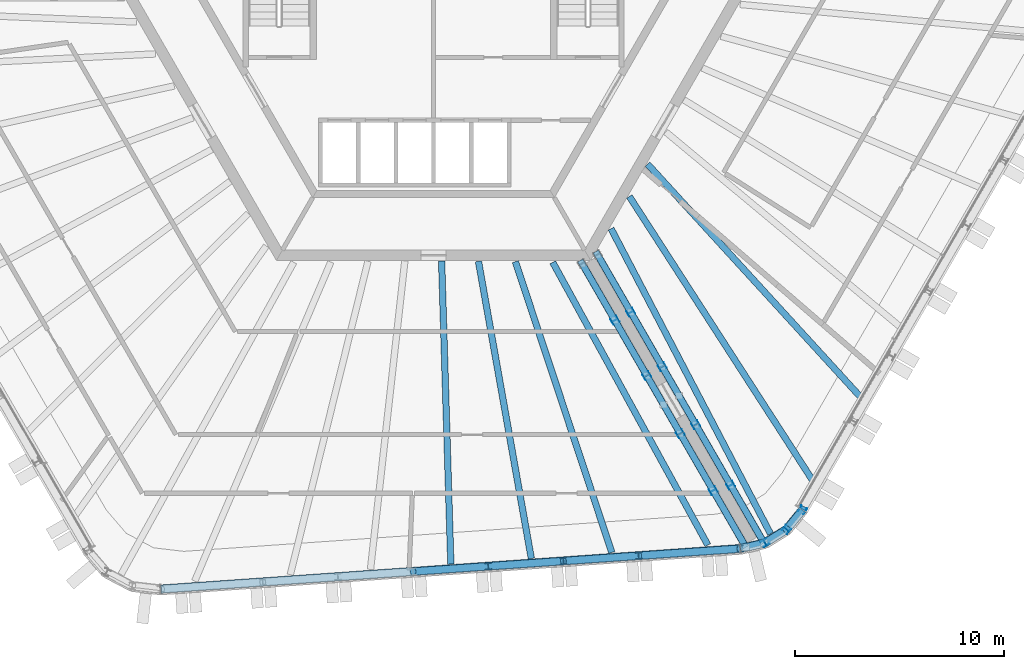
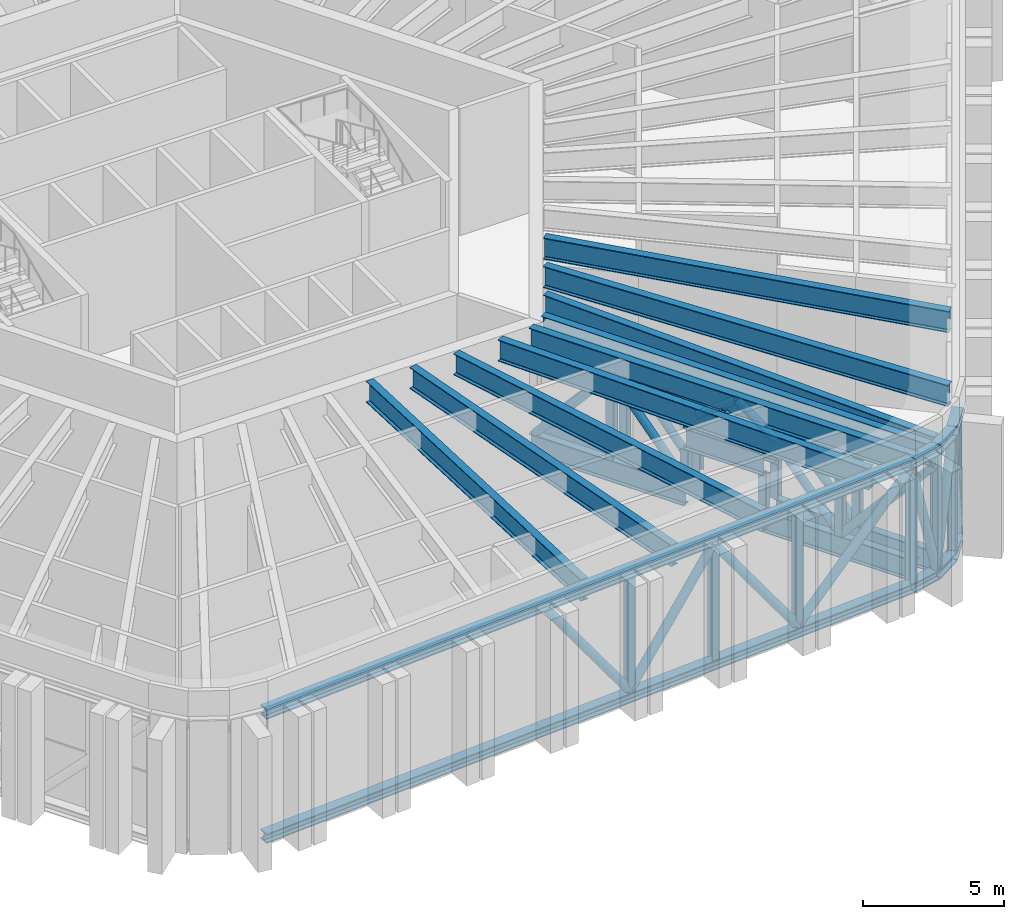
# One storey, part 4 of 24: 50 members, 7 beams.
"""IFC4 building model written with IfcOpenShell, lengths in metres."""

from ifc_helpers import new_model, si_unit, direction, frame, origin, origin_2d, place, context, subcontext, project, spatial, hollow_circle, i_section, extrude, material, material_profile, profile_set, type_object, element, save


model = new_model("IFC4")

# Units and contexts
model_context = context("Model", 3, precision=1e-05, world=origin(), true_north=direction((0.0, 1.0)))
body_context = subcontext(model_context, "Body", "Model", "MODEL_VIEW")
ifc_project = project(units=[si_unit("LENGTHUNIT", "METRE"), si_unit("AREAUNIT", "SQUARE_METRE"), si_unit("VOLUMEUNIT", "CUBIC_METRE"), si_unit("PLANEANGLEUNIT", "RADIAN"), si_unit("MASSUNIT", "GRAM", prefix="KILO")], contexts=[model_context])

# Site, building, storey
site_placement = place(None, origin())
site = spatial("IfcSite", under=ifc_project, at=site_placement, CompositionType="ELEMENT")
building_placement = place(site_placement, origin())
building = spatial("IfcBuilding", under=site, at=building_placement, Name="Tarnside Tower", CompositionType="ELEMENT")
storey_placement = place(building_placement, frame((0.0, 0.0, 250.199951171875)))
storey = spatial("IfcBuildingStorey", under=building, at=storey_placement, Name="L60", CompositionType="ELEMENT", Elevation=250.199951171875)

# Beams
ifc_material = material(Name="Steel S355", Category="steel")
ifc_material_profile_1 = material_profile(ifc_material, i_section(OverallWidth=0.3076171875, OverallDepth=0.926513671875, WebThickness=0.01953125, FlangeThickness=0.031982421875, FilletRadius=0.01904296875, at=origin_2d()), Name="UB 914x305x289")
ifc_profile_set_1 = profile_set([ifc_material_profile_1], Name="Steel S355")
beam_type = type_object("IfcBeamType", Name="Floor beam UB 914x305x289", PredefinedType="BEAM", material=ifc_profile_set_1)
beam_1_placement = place(storey_placement, frame((0.8271484375, -27.5107421875, 5.036865234375), z_axis=(-0.030363053913, 0.999538936189, 0.0), x_axis=(-0.999538936189, -0.030363053913, 0.0)))
element("IfcBeam", 1, at=beam_1_placement, inside=storey, type_object=beam_type, Name="Floor beam F4.04", PredefinedType="BEAM", context=body_context, shape_type="SweptSolid", body=[
    extrude(i_section(OverallWidth=0.3076171875, OverallDepth=0.926513671875, WebThickness=0.01953125, FlangeThickness=0.031982421875, FilletRadius=0.01904296875, at=origin_2d()), origin(), (0.0, 0.0, 1.0), 14.497314453125),
])
beam_2_placement = place(storey_placement, frame((4.673828125, -27.241943359375, 5.036865234375), z_axis=(-0.17516384842, 0.984539296426, 0.0), x_axis=(-0.984539296426, -0.17516384842, 0.0)))
element("IfcBeam", 2, at=beam_2_placement, inside=storey, type_object=beam_type, Name="Floor beam F4.05", PredefinedType="BEAM", context=body_context, shape_type="SweptSolid", body=[
    extrude(i_section(OverallWidth=0.3076171875, OverallDepth=0.926513671875, WebThickness=0.01953125, FlangeThickness=0.031982421875, FilletRadius=0.01904296875, at=origin_2d()), origin(), (0.0, 0.0, 1.0), 14.42578125),
])
beam_3_placement = place(storey_placement, frame((8.519287109375, -26.9541015625, 5.036865234375), z_axis=(-0.314646507185, 0.9492089209, 0.0), x_axis=(-0.9492089209, -0.314646507185, 0.0)))
element("IfcBeam", 3, at=beam_3_placement, inside=storey, type_object=beam_type, Name="Floor beam F4.06", PredefinedType="BEAM", context=body_context, shape_type="SweptSolid", body=[
    extrude(i_section(OverallWidth=0.3076171875, OverallDepth=0.926513671875, WebThickness=0.01953125, FlangeThickness=0.031982421875, FilletRadius=0.01904296875, at=origin_2d()), origin(), (0.0, 0.0, 1.0), 14.640869140625),
])
beam_4_placement = place(storey_placement, frame((13.106689453125, -26.599365234375, 5.036865234375), z_axis=(-0.480906472274, 0.876771900169, 0.0), x_axis=(-0.876771900169, -0.480906472274, 0.0)))
element("IfcBeam", 4, at=beam_4_placement, inside=storey, type_object=beam_type, Name="Floor beam F4.07", PredefinedType="BEAM", context=body_context, shape_type="SweptSolid", body=[
    extrude(i_section(OverallWidth=0.3076171875, OverallDepth=0.926513671875, WebThickness=0.01953125, FlangeThickness=0.031982421875, FilletRadius=0.01904296875, at=origin_2d()), origin(), (0.0, 0.0, 1.0), 15.41064453125),
])
beam_5_placement = place(storey_placement, frame((16.101806640625, -26.061279296875, 5.036865234375), z_axis=(-0.463185077787, 0.886261577479, 0.0), x_axis=(-0.886261577479, -0.463185077787, 0.0)))
element("IfcBeam", 5, at=beam_5_placement, inside=storey, type_object=beam_type, Name="Floor beam C4", PredefinedType="BEAM", context=body_context, shape_type="SweptSolid", body=[
    extrude(i_section(OverallWidth=0.3076171875, OverallDepth=0.926513671875, WebThickness=0.01953125, FlangeThickness=0.031982421875, FilletRadius=0.01904296875, at=origin_2d()), origin(), (0.0, 0.0, 1.0), 16.453125),
])
beam_6_placement = place(storey_placement, frame((18.1181640625, -23.51904296875, 5.036865234375), z_axis=(-0.542224926596, 0.840233377686, 0.0), x_axis=(-0.840233377686, -0.542224926596, 0.0)))
element("IfcBeam", 6, at=beam_6_placement, inside=storey, type_object=beam_type, Name="Floor beam F5.01", PredefinedType="BEAM", context=body_context, shape_type="SweptSolid", body=[
    extrude(i_section(OverallWidth=0.3076171875, OverallDepth=0.926513671875, WebThickness=0.01953125, FlangeThickness=0.031982421875, FilletRadius=0.01904296875, at=origin_2d()), origin(), (0.0, 0.0, 1.0), 16.161865234375),
])
beam_7_placement = place(storey_placement, frame((20.42578125, -19.5498046875, 5.036865234375), z_axis=(-0.674798616481, 0.738001915441, 0.0), x_axis=(-0.738001915441, -0.674798616481, 0.0)))
element("IfcBeam", 7, at=beam_7_placement, inside=storey, type_object=beam_type, Name="Floor beam F5.02", PredefinedType="BEAM", context=body_context, shape_type="SweptSolid", body=[
    extrude(i_section(OverallWidth=0.3076171875, OverallDepth=0.926513671875, WebThickness=0.01953125, FlangeThickness=0.031982421875, FilletRadius=0.01904296875, at=origin_2d()), origin(), (0.0, 0.0, 1.0), 15.111328125),
])

# Members
ifc_material_profile_2 = material_profile(ifc_material, i_section(OverallWidth=0.3076171875, OverallDepth=0.926513671875, WebThickness=0.01953125, FlangeThickness=0.031982421875, FilletRadius=0.01904296875, at=origin_2d()), Name="UB 914x305x289")
ifc_profile_set_2 = profile_set([ifc_material_profile_2], Name="Steel S355")
member_type_1 = type_object("IfcMemberType", Name="Outrigger chord UB 914x305x289", PredefinedType="CHORD", material=ifc_profile_set_2)
member_1_placement = place(storey_placement, frame((7.751220703125, -12.574462890625, 5.036865234375), z_axis=(0.500005898527, -0.866021998241, 0.0), x_axis=(0.866021998241, 0.500005898527, 0.0)))
element("IfcMember", 8, at=member_1_placement, inside=storey, type_object=member_type_1, Name="Outrigger truss top chord OR3A L60", PredefinedType="CHORD", context=body_context, shape_type="SweptSolid", body=[
    extrude(i_section(OverallWidth=0.3076171875, OverallDepth=0.926513671875, WebThickness=0.01953125, FlangeThickness=0.031982421875, FilletRadius=0.01904296875, at=origin_2d()), origin(), (0.0, 0.0, 1.0), 16.079833984375),
])
member_2_placement = place(storey_placement, frame((7.751220703125, -12.574462890625, 0.46337890625), z_axis=(0.500017186074, -0.866015481172, 0.0), x_axis=(0.866015481172, 0.500017186074, 0.0)))
element("IfcMember", 9, at=member_2_placement, inside=storey, type_object=member_type_1, Name="Outrigger truss bottom chord OR3A L60", PredefinedType="CHORD", context=body_context, shape_type="SweptSolid", body=[
    extrude(i_section(OverallWidth=0.3076171875, OverallDepth=0.926513671875, WebThickness=0.01953125, FlangeThickness=0.031982421875, FilletRadius=0.01904296875, at=origin_2d()), origin(), (0.0, 0.0, 1.0), 6.357666015625),
])
member_3_placement = place(storey_placement, frame((12.530029296875, -20.851318359375, 0.46337890625), z_axis=(0.499995699848, -0.866027886464, 0.0), x_axis=(0.866027886464, 0.499995699848, 0.0)))
element("IfcMember", 10, at=member_3_placement, inside=storey, type_object=member_type_1, Name="Outrigger truss bottom chord OR3A L60", PredefinedType="CHORD", context=body_context, shape_type="SweptSolid", body=[
    extrude(i_section(OverallWidth=0.3076171875, OverallDepth=0.926513671875, WebThickness=0.01953125, FlangeThickness=0.031982421875, FilletRadius=0.01904296875, at=origin_2d()), origin(), (0.0, 0.0, 1.0), 6.5224609375),
])
member_4_placement = place(storey_placement, frame((10.93017578125, -18.080322265625, 2.913330078125), z_axis=(0.50000426018, -0.866022944154, 0.0), x_axis=(0.866022944154, 0.50000426018, 0.0)))
element("IfcMember", 11, at=member_4_placement, inside=storey, type_object=member_type_1, Name="Outrigger truss lintel OR3A L60", PredefinedType="CHORD", context=body_context, shape_type="SweptSolid", body=[
    extrude(i_section(OverallWidth=0.3076171875, OverallDepth=0.926513671875, WebThickness=0.01953125, FlangeThickness=0.031982421875, FilletRadius=0.01904296875, at=origin_2d()), origin(), (0.0, 0.0, 1.0), 3.19970703125),
])
member_5_placement = place(storey_placement, frame((7.01416015625, -13.0, 5.036865234375), z_axis=(0.499998441327, -0.866026303683, 0.0), x_axis=(0.866026303683, 0.499998441327, 0.0)))
element("IfcMember", 12, at=member_5_placement, inside=storey, type_object=member_type_1, Name="Outrigger truss top chord OR3B L60", PredefinedType="CHORD", context=body_context, shape_type="SweptSolid", body=[
    extrude(i_section(OverallWidth=0.3076171875, OverallDepth=0.926513671875, WebThickness=0.01953125, FlangeThickness=0.031982421875, FilletRadius=0.01904296875, at=origin_2d()), origin(), (0.0, 0.0, 1.0), 15.8251953125),
])
member_6_placement = place(storey_placement, frame((7.01416015625, -13.0, 0.46337890625), z_axis=(0.499988385283, -0.86603210944, 0.0), x_axis=(0.86603210944, 0.499988385283, 0.0)))
element("IfcMember", 13, at=member_6_placement, inside=storey, type_object=member_type_1, Name="Outrigger truss bottom chord OR3B L60", PredefinedType="CHORD", context=body_context, shape_type="SweptSolid", body=[
    extrude(i_section(OverallWidth=0.3076171875, OverallDepth=0.926513671875, WebThickness=0.01953125, FlangeThickness=0.031982421875, FilletRadius=0.01904296875, at=origin_2d()), origin(), (0.0, 0.0, 1.0), 6.357666015625),
])
member_7_placement = place(storey_placement, frame((11.792724609375, -21.277099609375, 0.46337890625), z_axis=(0.500022537219, -0.866012391524, 0.0), x_axis=(0.866012391524, 0.500022537219, 0.0)))
element("IfcMember", 14, at=member_7_placement, inside=storey, type_object=member_type_1, Name="Outrigger truss bottom chord OR3B L60", PredefinedType="CHORD", context=body_context, shape_type="SweptSolid", body=[
    extrude(i_section(OverallWidth=0.3076171875, OverallDepth=0.926513671875, WebThickness=0.01953125, FlangeThickness=0.031982421875, FilletRadius=0.01904296875, at=origin_2d()), origin(), (0.0, 0.0, 1.0), 6.267822265625),
])
member_8_placement = place(storey_placement, frame((10.19287109375, -18.505859375, 2.913330078125), z_axis=(0.499971222258, -0.866042017984, 0.0), x_axis=(0.866042017984, 0.499971222258, 0.0)))
element("IfcMember", 15, at=member_8_placement, inside=storey, type_object=member_type_1, Name="Outrigger truss lintel OR3B L60", PredefinedType="CHORD", context=body_context, shape_type="SweptSolid", body=[
    extrude(i_section(OverallWidth=0.3076171875, OverallDepth=0.926513671875, WebThickness=0.01953125, FlangeThickness=0.031982421875, FilletRadius=0.01904296875, at=origin_2d()), origin(), (0.0, 0.0, 1.0), 3.199951171875),
])
ifc_material_profile_3 = material_profile(ifc_material, hollow_circle(Radius=0.161865234375, WallThickness=0.012451171875, at=origin_2d()), Name="CHS 323.9x12.5")
ifc_profile_set_3 = profile_set([ifc_material_profile_3], Name="Steel S355")
member_type_2 = type_object("IfcMemberType", Name="Outrigger diagonal CHS 323.9x12.5", PredefinedType="BRACE", material=ifc_profile_set_3)
member_9_placement = place(storey_placement, frame((7.839111328125, -12.7265625, 0.9267578125), z_axis=(0.328649616316, -0.569259075974, 0.753613650432), x_axis=(0.866033482957, 0.499986006202, 0.0)))
element("IfcMember", 16, at=member_9_placement, inside=storey, type_object=member_type_2, Name="Outrigger truss diagonal OR3A 1", PredefinedType="BRACE", context=body_context, shape_type="SweptSolid", body=[
    extrude(hollow_circle(Radius=0.161865234375, WallThickness=0.012451171875, at=origin_2d()), origin(), (0.0, 0.0, 1.0), 4.839111328125),
])
member_10_placement = place(storey_placement, frame((9.429443359375, -15.481201171875, 4.573486328125), z_axis=(0.317753185517, -0.550317295106, -0.772129385402), x_axis=(0.86600676862, 0.500032275663, 0.0)))
element("IfcMember", 17, at=member_10_placement, inside=storey, type_object=member_type_2, Name="Outrigger truss diagonal OR3A 2", PredefinedType="BRACE", context=body_context, shape_type="SweptSolid", body=[
    extrude(hollow_circle(Radius=0.161865234375, WallThickness=0.012451171875, at=origin_2d()), origin(), (0.0, 0.0, 1.0), 4.722900390625),
])
member_11_placement = place(storey_placement, frame((10.93017578125, -18.080322265625, 3.376708984375), z_axis=(0.400324488996, -0.693480303739, 0.599020343424), x_axis=(0.866055983265, 0.499947031044, 0.0)))
element("IfcMember", 18, at=member_11_placement, inside=storey, type_object=member_type_2, Name="Outrigger truss diagonal OR3A 3", PredefinedType="BRACE", context=body_context, shape_type="SweptSolid", body=[
    extrude(hollow_circle(Radius=0.161865234375, WallThickness=0.012451171875, at=origin_2d()), origin(), (0.0, 0.0, 1.0), 1.997802734375),
])
member_12_placement = place(storey_placement, frame((12.530029296875, -20.851318359375, 3.376708984375), z_axis=(-0.400427097036, 0.693446376466, 0.598991037434), x_axis=(-0.865989903783, -0.500061482766, 0.0)))
element("IfcMember", 19, at=member_12_placement, inside=storey, type_object=member_type_2, Name="Outrigger truss diagonal OR3A 4", PredefinedType="BRACE", context=body_context, shape_type="SweptSolid", body=[
    extrude(hollow_circle(Radius=0.161865234375, WallThickness=0.012451171875, at=origin_2d()), origin(), (0.0, 0.0, 1.0), 1.998046875),
])
member_13_placement = place(storey_placement, frame((12.530029296875, -20.851318359375, 4.573486328125), z_axis=(0.337763108267, -0.585100670085, -0.737274228873), x_axis=(0.866054193935, 0.499950130681, 0.0)))
element("IfcMember", 20, at=member_13_placement, inside=storey, type_object=member_type_2, Name="Outrigger truss diagonal OR3A 5", PredefinedType="BRACE", context=body_context, shape_type="SweptSolid", body=[
    extrude(hollow_circle(Radius=0.161865234375, WallThickness=0.012451171875, at=origin_2d()), origin(), (0.0, 0.0, 1.0), 4.9462890625),
])
member_14_placement = place(storey_placement, frame((14.20068359375, -23.745361328125, 0.9267578125), z_axis=(0.328694618571, -0.56924963643, 0.753601153891), x_axis=(0.866000246787, 0.500043570666, 0.0)))
element("IfcMember", 21, at=member_14_placement, inside=storey, type_object=member_type_2, Name="Outrigger truss diagonal OR3A 6", PredefinedType="BRACE", context=body_context, shape_type="SweptSolid", body=[
    extrude(hollow_circle(Radius=0.161865234375, WallThickness=0.012451171875, at=origin_2d()), origin(), (0.0, 0.0, 1.0), 4.839111328125),
])
member_15_placement = place(storey_placement, frame((7.101806640625, -13.152099609375, 0.9267578125), z_axis=(0.325682698123, -0.564039151031, 0.758808682243), x_axis=(0.866002438025, 0.500039775752, 0.0)))
element("IfcMember", 22, at=member_15_placement, inside=storey, type_object=member_type_2, Name="Outrigger truss diagonal OR3B 1", PredefinedType="BRACE", context=body_context, shape_type="SweptSolid", body=[
    extrude(hollow_circle(Radius=0.161865234375, WallThickness=0.012451171875, at=origin_2d()), origin(), (0.0, 0.0, 1.0), 4.805908203125),
])
member_16_placement = place(storey_placement, frame((8.6669921875, -15.86279296875, 4.573486328125), z_axis=(0.320880643248, -0.555816615009, -0.766879066912), x_axis=(0.86603905187, 0.499976360077, 0.0)))
element("IfcMember", 23, at=member_16_placement, inside=storey, type_object=member_type_2, Name="Outrigger truss diagonal OR3B 2", PredefinedType="BRACE", context=body_context, shape_type="SweptSolid", body=[
    extrude(hollow_circle(Radius=0.161865234375, WallThickness=0.012451171875, at=origin_2d()), origin(), (0.0, 0.0, 1.0), 4.75537109375),
])
for number, where, z_axis, x_axis, name in (
    (24, (10.19287109375, -18.505859375, 3.376708984375), (0.400427097036, -0.693446376466, 0.598991037434), (0.865989903783, 0.500061482766, 0.0), "Outrigger truss diagonal OR3B 3"),
    (25, (11.792724609375, -21.277099609375, 3.376708984375), (-0.400290565733, 0.693543727443, 0.598969582792), (-0.866094119867, -0.499880961361, 0.0), "Outrigger truss diagonal OR3B 4"),
):
    element("IfcMember", number, at=place(storey_placement, frame(where, z_axis=z_axis, x_axis=x_axis)), inside=storey, type_object=member_type_2, Name=name, PredefinedType="BRACE", context=body_context, shape_type="SweptSolid", body=[
        extrude(hollow_circle(Radius=0.161865234375, WallThickness=0.012451171875, at=origin_2d()), origin(), (0.0, 0.0, 1.0), 1.998046875),
    ])
member_17_placement = place(storey_placement, frame((11.792724609375, -21.277099609375, 4.573486328125), z_axis=(0.326156600302, -0.564823862044, -0.758021026717), x_axis=(0.865988627265, 0.50006369339, 0.0)))
element("IfcMember", 26, at=member_17_placement, inside=storey, type_object=member_type_2, Name="Outrigger truss diagonal OR3B 5", PredefinedType="BRACE", context=body_context, shape_type="SweptSolid", body=[
    extrude(hollow_circle(Radius=0.161865234375, WallThickness=0.012451171875, at=origin_2d()), origin(), (0.0, 0.0, 1.0), 4.810791015625),
])
member_18_placement = place(storey_placement, frame((13.36181640625, -23.994384765625, 0.9267578125), z_axis=(0.325637284769, -0.564048482494, 0.758821235974), x_axis=(0.866036212918, 0.499981277565, 0.0)))
element("IfcMember", 27, at=member_18_placement, inside=storey, type_object=member_type_2, Name="Outrigger truss diagonal OR3B 6", PredefinedType="BRACE", context=body_context, shape_type="SweptSolid", body=[
    extrude(hollow_circle(Radius=0.161865234375, WallThickness=0.012451171875, at=origin_2d()), origin(), (0.0, 0.0, 1.0), 4.8056640625),
])
ifc_material_profile_4 = material_profile(ifc_material, i_section(OverallWidth=0.311279296875, OverallDepth=0.3271484375, WebThickness=0.015869140625, FlangeThickness=0.02490234375, FilletRadius=0.01513671875, at=origin_2d()), Name="UC 305x305x158")
ifc_profile_set_4 = profile_set([ifc_material_profile_4], Name="Steel S355")
member_type_3 = type_object("IfcMemberType", Name="Outrigger post UC 305x305x158", PredefinedType="POST", material=ifc_profile_set_4)
member_19_placement = place(storey_placement, frame((9.429443359375, -15.481201171875, 0.9267578125), z_axis=(0.0, 0.0, 1.0), x_axis=(0.5, -0.866025403784, 0.0)))
element("IfcMember", 28, at=member_19_placement, inside=storey, type_object=member_type_3, Name="Outrigger truss post OR3A 2", PredefinedType="POST", context=body_context, shape_type="SweptSolid", body=[
    extrude(i_section(OverallWidth=0.311279296875, OverallDepth=0.3271484375, WebThickness=0.015869140625, FlangeThickness=0.02490234375, FilletRadius=0.01513671875, at=origin_2d()), origin(), (0.0, 0.0, 1.0), 3.646728515625),
])
for number, where, z_axis, x_axis, name in (
    (29, (10.93017578125, -18.080322265625, 0.9267578125), (0.0, 0.0, 1.0), (0.5, -0.866025403784, 0.0), "Outrigger truss post OR3A 3"),
    (30, (12.530029296875, -20.851318359375, 0.9267578125), (0.0, 0.0, 1.0), (0.5, -0.866025403784, 0.0), "Outrigger truss post OR3A 4"),
):
    element("IfcMember", number, at=place(storey_placement, frame(where, z_axis=z_axis, x_axis=x_axis)), inside=storey, type_object=member_type_3, Name=name, PredefinedType="POST", context=body_context, shape_type="SweptSolid", body=[
        extrude(i_section(OverallWidth=0.311279296875, OverallDepth=0.3271484375, WebThickness=0.015869140625, FlangeThickness=0.02490234375, FilletRadius=0.01513671875, at=origin_2d()), origin(), (0.0, 0.0, 1.0), 1.523193359375),
    ])
for number, where, z_axis, x_axis, name in (
    (31, (14.20068359375, -23.745361328125, 0.9267578125), (0.0, 0.0, 1.0), (0.5, -0.866025403784, 0.0), "Outrigger truss post OR3A 5"),
    (32, (8.6669921875, -15.86279296875, 0.9267578125), (0.0, 0.0, 1.0), (0.5, -0.866025403784, 0.0), "Outrigger truss post OR3B 2"),
):
    element("IfcMember", number, at=place(storey_placement, frame(where, z_axis=z_axis, x_axis=x_axis)), inside=storey, type_object=member_type_3, Name=name, PredefinedType="POST", context=body_context, shape_type="SweptSolid", body=[
        extrude(i_section(OverallWidth=0.311279296875, OverallDepth=0.3271484375, WebThickness=0.015869140625, FlangeThickness=0.02490234375, FilletRadius=0.01513671875, at=origin_2d()), origin(), (0.0, 0.0, 1.0), 3.646728515625),
    ])
for number, where, z_axis, x_axis, name in (
    (33, (10.19287109375, -18.505859375, 0.9267578125), (0.0, 0.0, 1.0), (0.5, -0.866025403784, 0.0), "Outrigger truss post OR3B 3"),
    (34, (11.792724609375, -21.277099609375, 0.9267578125), (0.0, 0.0, 1.0), (0.5, -0.866025403784, 0.0), "Outrigger truss post OR3B 4"),
):
    element("IfcMember", number, at=place(storey_placement, frame(where, z_axis=z_axis, x_axis=x_axis)), inside=storey, type_object=member_type_3, Name=name, PredefinedType="POST", context=body_context, shape_type="SweptSolid", body=[
        extrude(i_section(OverallWidth=0.311279296875, OverallDepth=0.3271484375, WebThickness=0.015869140625, FlangeThickness=0.02490234375, FilletRadius=0.01513671875, at=origin_2d()), origin(), (0.0, 0.0, 1.0), 1.523193359375),
    ])
member_20_placement = place(storey_placement, frame((13.36181640625, -23.994384765625, 0.9267578125), z_axis=(0.0, 0.0, 1.0), x_axis=(0.5, -0.866025403784, 0.0)))
element("IfcMember", 35, at=member_20_placement, inside=storey, type_object=member_type_3, Name="Outrigger truss post OR3B 5", PredefinedType="POST", context=body_context, shape_type="SweptSolid", body=[
    extrude(i_section(OverallWidth=0.311279296875, OverallDepth=0.3271484375, WebThickness=0.015869140625, FlangeThickness=0.02490234375, FilletRadius=0.01513671875, at=origin_2d()), origin(), (0.0, 0.0, 1.0), 3.646728515625),
])
ifc_material_profile_5 = material_profile(ifc_material, i_section(OverallWidth=0.403076171875, OverallDepth=0.406494140625, WebThickness=0.026611328125, FlangeThickness=0.04296875, FilletRadius=0.01513671875, at=origin_2d()), Name="UC 356x406x340")
ifc_profile_set_5 = profile_set([ifc_material_profile_5], Name="Steel S355")
member_type_4 = type_object("IfcMemberType", Name="Truss chord UC 356x406x340", PredefinedType="CHORD", material=ifc_profile_set_5)
member_21_placement = place(storey_placement, frame((-13.0263671875, -28.70361328125, -0.0966796875), z_axis=(0.99756406806, 0.069756219185, 0.0), x_axis=(-0.069756219185, 0.99756406806, 0.0)))
element("IfcMember", 36, at=member_21_placement, inside=storey, type_object=member_type_4, Name="Belt truss bottom chord L60 run", PredefinedType="CHORD", context=body_context, shape_type="SweptSolid", body=[
    extrude(i_section(OverallWidth=0.403076171875, OverallDepth=0.406494140625, WebThickness=0.026611328125, FlangeThickness=0.04296875, FilletRadius=0.01513671875, at=origin_2d()), origin(), (0.0, 0.0, 1.0), 27.7578125),
])
for number, where, z_axis, x_axis, name in (
    (37, (14.663818359375, -26.767333984375, -0.0966796875), (0.973063591128, 0.230536868247, 0.0), (-0.230536868247, 0.973063591128, 0.0), "Belt truss bottom chord L60 corner4.1"),
    (38, (15.839599609375, -26.48876953125, -0.0966796875), (0.848009655012, 0.52998077796, 0.0), (-0.52998077796, 0.848009655012, 0.0), "Belt truss bottom chord L60 corner4.2"),
    (39, (16.8642578125, -25.848388671875, -0.0966796875), (0.633721857241, 0.773560991555, 0.0), (-0.773560991555, 0.633721857241, 0.0), "Belt truss bottom chord L60 corner4.3"),
):
    element("IfcMember", number, at=place(storey_placement, frame(where, z_axis=z_axis, x_axis=x_axis)), inside=storey, type_object=member_type_4, Name=name, PredefinedType="CHORD", context=body_context, shape_type="SweptSolid", body=[
        extrude(i_section(OverallWidth=0.403076171875, OverallDepth=0.406494140625, WebThickness=0.026611328125, FlangeThickness=0.04296875, FilletRadius=0.01513671875, at=origin_2d()), origin(), (0.0, 0.0, 1.0), 1.208251953125),
    ])
ifc_material_profile_6 = material_profile(ifc_material, i_section(OverallWidth=0.406982421875, OverallDepth=0.4189453125, WebThickness=0.030517578125, FlangeThickness=0.04931640625, FilletRadius=0.01513671875, at=origin_2d()), Name="UC 356x406x393")
ifc_profile_set_6 = profile_set([ifc_material_profile_6], Name="Steel S355")
member_type_5 = type_object("IfcMemberType", Name="Truss chord UC 356x406x393", PredefinedType="CHORD", material=ifc_profile_set_6)
member_22_placement = place(storey_placement, frame((-13.0263671875, -28.70361328125, 5.29052734375), z_axis=(0.99756406806, 0.069756219185, 0.0), x_axis=(-0.069756219185, 0.99756406806, 0.0)))
element("IfcMember", 40, at=member_22_placement, inside=storey, type_object=member_type_5, Name="Belt truss top chord L60 run", PredefinedType="CHORD", context=body_context, shape_type="SweptSolid", body=[
    extrude(i_section(OverallWidth=0.406982421875, OverallDepth=0.4189453125, WebThickness=0.030517578125, FlangeThickness=0.04931640625, FilletRadius=0.01513671875, at=origin_2d()), origin(), (0.0, 0.0, 1.0), 27.7578125),
])
for number, where, z_axis, x_axis, name in (
    (41, (14.663818359375, -26.767333984375, 5.29052734375), (0.973063591128, 0.230536868247, 0.0), (-0.230536868247, 0.973063591128, 0.0), "Belt truss top chord L60 corner4.1"),
    (42, (15.839599609375, -26.48876953125, 5.29052734375), (0.848009655012, 0.52998077796, 0.0), (-0.52998077796, 0.848009655012, 0.0), "Belt truss top chord L60 corner4.2"),
    (43, (16.8642578125, -25.848388671875, 5.29052734375), (0.633721857241, 0.773560991555, 0.0), (-0.773560991555, 0.633721857241, 0.0), "Belt truss top chord L60 corner4.3"),
):
    element("IfcMember", number, at=place(storey_placement, frame(where, z_axis=z_axis, x_axis=x_axis)), inside=storey, type_object=member_type_5, Name=name, PredefinedType="CHORD", context=body_context, shape_type="SweptSolid", body=[
        extrude(i_section(OverallWidth=0.406982421875, OverallDepth=0.4189453125, WebThickness=0.030517578125, FlangeThickness=0.04931640625, FilletRadius=0.01513671875, at=origin_2d()), origin(), (0.0, 0.0, 1.0), 1.208251953125),
    ])
ifc_material_profile_7 = material_profile(ifc_material, hollow_circle(Radius=0.177734375, WallThickness=0.01611328125, at=origin_2d()), Name="CHS 355.6x16")
ifc_profile_set_7 = profile_set([ifc_material_profile_7], Name="Steel S355")
member_type_6 = type_object("IfcMemberType", Name="Truss diagonal CHS 355.6x16", PredefinedType="BRACE", material=ifc_profile_set_7)
member_23_placement = place(storey_placement, frame((-0.976806640625, -27.861083984375, 5.0810546875), z_axis=(0.58484358689, 0.04091122032, -0.810113727156), x_axis=(-0.069781888421, 0.997562272767, 0.0)))
element("IfcMember", 44, at=member_23_placement, inside=storey, type_object=member_type_6, Name="Belt truss diagonal L60 34", PredefinedType="BRACE", context=body_context, shape_type="SweptSolid", body=[
    extrude(hollow_circle(Radius=0.177734375, WallThickness=0.01611328125, at=origin_2d()), origin(), (0.0, 0.0, 1.0), 6.140625),
])
member_24_placement = place(storey_placement, frame((2.614501953125, -27.60986328125, 0.1064453125), z_axis=(0.584818377555, 0.040872478899, 0.810133881369), x_axis=(-0.069719119461, 0.997566661623, 0.0)))
element("IfcMember", 45, at=member_24_placement, inside=storey, type_object=member_type_6, Name="Belt truss diagonal L60 35", PredefinedType="BRACE", context=body_context, shape_type="SweptSolid", body=[
    extrude(hollow_circle(Radius=0.177734375, WallThickness=0.01611328125, at=origin_2d()), origin(), (0.0, 0.0, 1.0), 6.140380859375),
])
member_25_placement = place(storey_placement, frame((6.20556640625, -27.35888671875, 5.0810546875), z_axis=(0.58484358689, 0.04091122032, -0.810113727156), x_axis=(-0.069781888421, 0.997562272767, 0.0)))
element("IfcMember", 46, at=member_25_placement, inside=storey, type_object=member_type_6, Name="Belt truss diagonal L60 36", PredefinedType="BRACE", context=body_context, shape_type="SweptSolid", body=[
    extrude(hollow_circle(Radius=0.177734375, WallThickness=0.01611328125, at=origin_2d()), origin(), (0.0, 0.0, 1.0), 6.140625),
])
member_26_placement = place(storey_placement, frame((9.796875, -27.107666015625, 0.1064453125), z_axis=(0.698494527371, 0.048843810943, 0.713946550776), x_axis=(-0.069756922115, 0.997564018907, 0.0)))
element("IfcMember", 47, at=member_26_placement, inside=storey, type_object=member_type_6, Name="Belt truss diagonal L60 37", PredefinedType="BRACE", context=body_context, shape_type="SweptSolid", body=[
    extrude(hollow_circle(Radius=0.177734375, WallThickness=0.01611328125, at=origin_2d()), origin(), (0.0, 0.0, 1.0), 6.9677734375),
])
for number, where, z_axis, x_axis, name in (
    (48, (14.663818359375, -26.767333984375, 5.0810546875), (0.229678079759, 0.054415010175, -0.971744300907), (-0.230536868247, 0.973063591128, 0.0), "Belt truss diagonal L60 38"),
    (49, (15.839599609375, -26.48876953125, 0.1064453125), (0.200157760927, 0.125092639245, 0.971745183856), (-0.52998077796, 0.848009655012, 0.0), "Belt truss diagonal L60 39"),
    (50, (16.8642578125, -25.848388671875, 5.0810546875), (0.149559121674, 0.182561325818, -0.971752762507), (-0.773560991555, 0.633721857241, 0.0), "Belt truss diagonal L60 40"),
):
    element("IfcMember", number, at=place(storey_placement, frame(where, z_axis=z_axis, x_axis=x_axis)), inside=storey, type_object=member_type_6, Name=name, PredefinedType="BRACE", context=body_context, shape_type="SweptSolid", body=[
        extrude(hollow_circle(Radius=0.177734375, WallThickness=0.01611328125, at=origin_2d()), origin(), (0.0, 0.0, 1.0), 5.119140625),
    ])
ifc_material_profile_8 = material_profile(ifc_material, i_section(OverallWidth=0.311279296875, OverallDepth=0.3271484375, WebThickness=0.015869140625, FlangeThickness=0.02490234375, FilletRadius=0.01513671875, at=origin_2d()), Name="UC 305x305x158")
ifc_profile_set_8 = profile_set([ifc_material_profile_8], Name="Steel S355")
member_type_7 = type_object("IfcMemberType", Name="Truss post UC 305x305x158", PredefinedType="POST", material=ifc_profile_set_8)
for number, where, z_axis, x_axis, name in (
    (51, (2.614501953125, -27.60986328125, 0.1064453125), (0.0, 0.0, 1.0), (0.99756405026, 0.069756473744, 0.0), "Belt truss post L60 35"),
    (52, (6.20556640625, -27.35888671875, 0.1064453125), (0.0, 0.0, 1.0), (0.99756405026, 0.069756473744, 0.0), "Belt truss post L60 36"),
    (53, (9.796875, -27.107666015625, 0.1064453125), (0.0, 0.0, 1.0), (0.99756405026, 0.069756473744, 0.0), "Belt truss post L60 37"),
    (54, (14.663818359375, -26.767333984375, 0.1064453125), (0.0, 0.0, 1.0), (0.99756405026, 0.069756473744, 0.0), "Belt truss post L60 38"),
    (55, (15.839599609375, -26.48876953125, 0.1064453125), (0.0, 0.0, 1.0), (0.848048096156, 0.529919264233, 0.0), "Belt truss post L60 39"),
    (56, (16.8642578125, -25.848388671875, 0.1064453125), (0.0, 0.0, 1.0), (0.633830967394, 0.773471592738, 0.0), "Belt truss post L60 40"),
    (57, (17.6298828125, -24.913818359375, 0.1064453125), (0.0, 0.0, 1.0), (0.5, 0.866025403784, 0.0), "Belt truss post L60 41"),
):
    element("IfcMember", number, at=place(storey_placement, frame(where, z_axis=z_axis, x_axis=x_axis)), inside=storey, type_object=member_type_7, Name=name, PredefinedType="POST", context=body_context, shape_type="SweptSolid", body=[
        extrude(i_section(OverallWidth=0.311279296875, OverallDepth=0.3271484375, WebThickness=0.015869140625, FlangeThickness=0.02490234375, FilletRadius=0.01513671875, at=origin_2d()), origin(), (0.0, 0.0, 1.0), 4.974609375),
    ])

save(model, "model.ifc")
